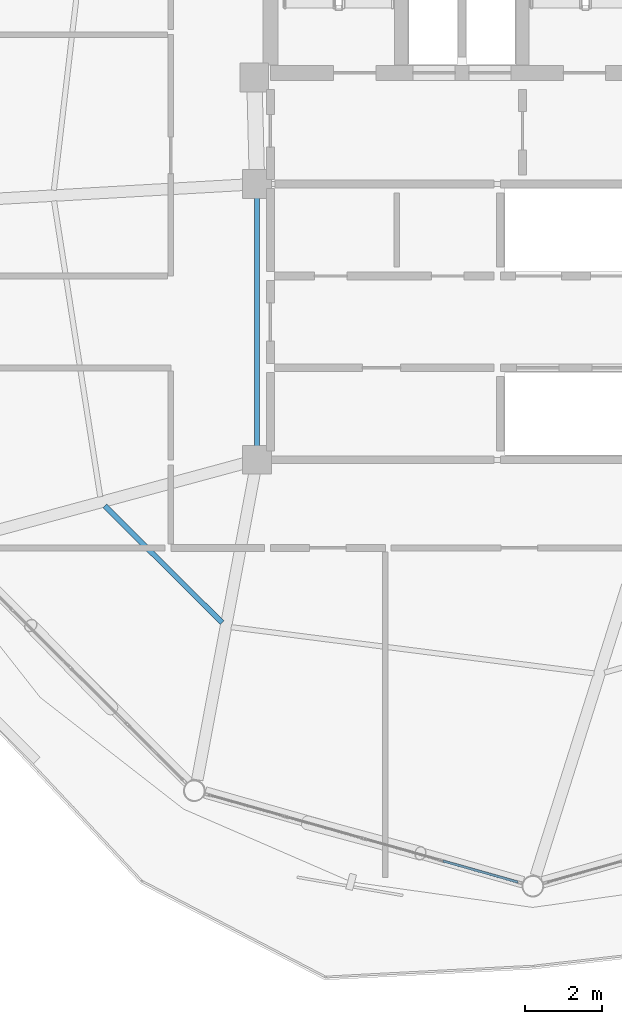
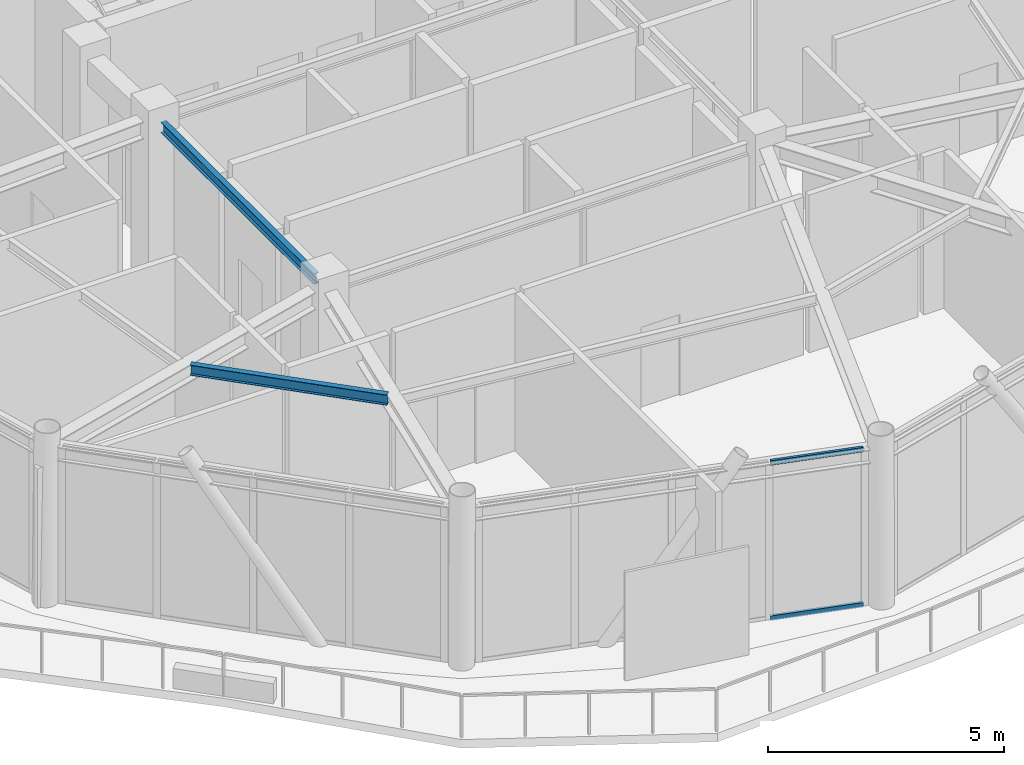
# One storey, part 5 of 24: 2 beams, 2 members, 1 element without a shape of its own.
"""IFC4 building model written with IfcOpenShell, lengths in metres."""

from ifc_helpers import new_model, si_unit, direction, frame, origin, origin_2d, place, context, subcontext, project, spatial, hollow_rectangle, i_section, extrude, material, layer, layer_set, material_profile, profile_set, type_object, element, aggregate, save


model = new_model("IFC4")

# Units and contexts
model_context = context("Model", 3, precision=1e-05, world=origin(), true_north=direction((0.0, 1.0)))
body_context = subcontext(model_context, "Body", "Model", "MODEL_VIEW")
ifc_project = project(units=[si_unit("LENGTHUNIT", "METRE"), si_unit("AREAUNIT", "SQUARE_METRE"), si_unit("VOLUMEUNIT", "CUBIC_METRE"), si_unit("PLANEANGLEUNIT", "RADIAN"), si_unit("MASSUNIT", "GRAM", prefix="KILO")], contexts=[model_context])

# Site, building, storey
site_placement = place(None, origin())
site = spatial("IfcSite", under=ifc_project, at=site_placement, CompositionType="ELEMENT")
building_placement = place(site_placement, origin())
building = spatial("IfcBuilding", under=site, at=building_placement, Name="Varnakorn Sky Granary", CompositionType="ELEMENT")
storey_placement = place(building_placement, frame((0.0, 0.0, 285.0)))
storey = spatial("IfcBuildingStorey", under=building, at=storey_placement, Name="L73", CompositionType="ELEMENT", Elevation=285.0)

# Beams
ifc_material_1 = material(Name="Steel S355JR", Category="steel")
ifc_material_profile_1 = material_profile(ifc_material_1, i_section(OverallWidth=0.135009765625, OverallDepth=0.27001953125, WebThickness=0.006591796875, FlangeThickness=0.01025390625, at=origin_2d()), Name="IPE 270")
ifc_profile_set_1 = profile_set([ifc_material_profile_1], Name="Steel S355JR")
beam_type = type_object("IfcBeamType", Name="BM-SEC-Z5", PredefinedType="BEAM", material=ifc_profile_set_1)
beam_1_placement = place(storey_placement, frame((-6.322021484375, -7.802001953125, 3.945068359375), z_axis=(0.708405205583, -0.705805968169, 0.0), x_axis=(0.705805968169, 0.708405205583, 0.0)))
element("IfcBeam", 1, at=beam_1_placement, inside=storey, type_object=beam_type, Name="Secondary Floor Chord Beam MSB08 L73", PredefinedType="BEAM", context=body_context, shape_type="SweptSolid", body=[
    extrude(i_section(OverallWidth=0.135009765625, OverallDepth=0.27001953125, WebThickness=0.006591796875, FlangeThickness=0.01025390625, at=origin_2d()), origin(), (0.0, 0.0, 1.0), 4.320556640625),
])
beam_2_placement = place(storey_placement, frame((-2.35009765625, 0.2451171875, 3.945068359375), z_axis=(0.0, -1.0, 0.0), x_axis=(1.0, 0.0, 0.0)))
element("IfcBeam", 2, at=beam_2_placement, inside=storey, type_object=beam_type, Name="Core Spine Framing Beam 3 L73", PredefinedType="BEAM", context=body_context, shape_type="SweptSolid", body=[
    extrude(i_section(OverallWidth=0.135009765625, OverallDepth=0.27001953125, WebThickness=0.006591796875, FlangeThickness=0.01025390625, at=origin_2d()), origin(), (0.0, 0.0, 1.0), 6.490234375),
])

# Curtain wall, members
ifc_material_2 = material(Name="Anodised Bronze Aluminium Alloy 6063-T6", Category="aluminium")
ifc_layer = layer(ifc_material_2, 0.159912109375, Name="Anodised Bronze Aluminium Alloy 6063-T6")
ifc_layer_set = layer_set([ifc_layer], Name="Anodised Bronze Aluminium Alloy 6063-T6")
curtain_wall_type = type_object("IfcCurtainWallType", Name="CW-OFF-1", PredefinedType="USERDEFINED", material=ifc_layer_set)
curtain_wall_placement = place(storey_placement, origin())
curtain_wall = element("IfcCurtainWall", 3, at=curtain_wall_placement, inside=storey, type_object=curtain_wall_type, Name="Unitised Curtain Wall CW6 CW-L73-B09", ObjectType="CURTAIN WALL", PredefinedType="USERDEFINED")
ifc_material_profile_2 = material_profile(ifc_material_2, hollow_rectangle(XDim=0.06494140625, YDim=0.1201171875, WallThickness=0.00341796875, at=origin_2d()), Name="ALU TRAN 65x120")
ifc_profile_set_2 = profile_set([ifc_material_profile_2], Name="Anodised Bronze Aluminium Alloy 6063-T6")
member_type = type_object("IfcMemberType", Name="CW-OFF-1-TRAN", PredefinedType="USERDEFINED", material=ifc_profile_set_2)
member_1_placement = place(storey_placement, frame((4.460693359375, -17.624267578125, 0.032470703125), z_axis=(-0.962462570258, 0.271414444813, 0.0), x_axis=(-0.271414444813, -0.962462570258, 0.0)))
member_1 = element("IfcMember", 4, at=member_1_placement, type_object=member_type, Name="CW6 transom 1.1", ObjectType="TRANSOM", PredefinedType="USERDEFINED", context=body_context, shape_type="SweptSolid", body=[
    extrude(hollow_rectangle(XDim=0.06494140625, YDim=0.1201171875, WallThickness=0.00341796875, at=origin_2d()), origin(), (0.0, 0.0, 1.0), 2.029296875),
])
member_2_placement = place(storey_placement, frame((4.460693359375, -17.624267578125, 4.047607421875), z_axis=(-0.962462570258, 0.271414444813, 0.0), x_axis=(-0.271414444813, -0.962462570258, 0.0)))
member_2 = element("IfcMember", 5, at=member_2_placement, type_object=member_type, Name="CW6 transom 1.2", ObjectType="TRANSOM", PredefinedType="USERDEFINED", context=body_context, shape_type="SweptSolid", body=[
    extrude(hollow_rectangle(XDim=0.06494140625, YDim=0.1201171875, WallThickness=0.00341796875, at=origin_2d()), origin(), (0.0, 0.0, 1.0), 2.029296875),
])
aggregate(curtain_wall, [member_1, member_2])

save(model, "model.ifc")
